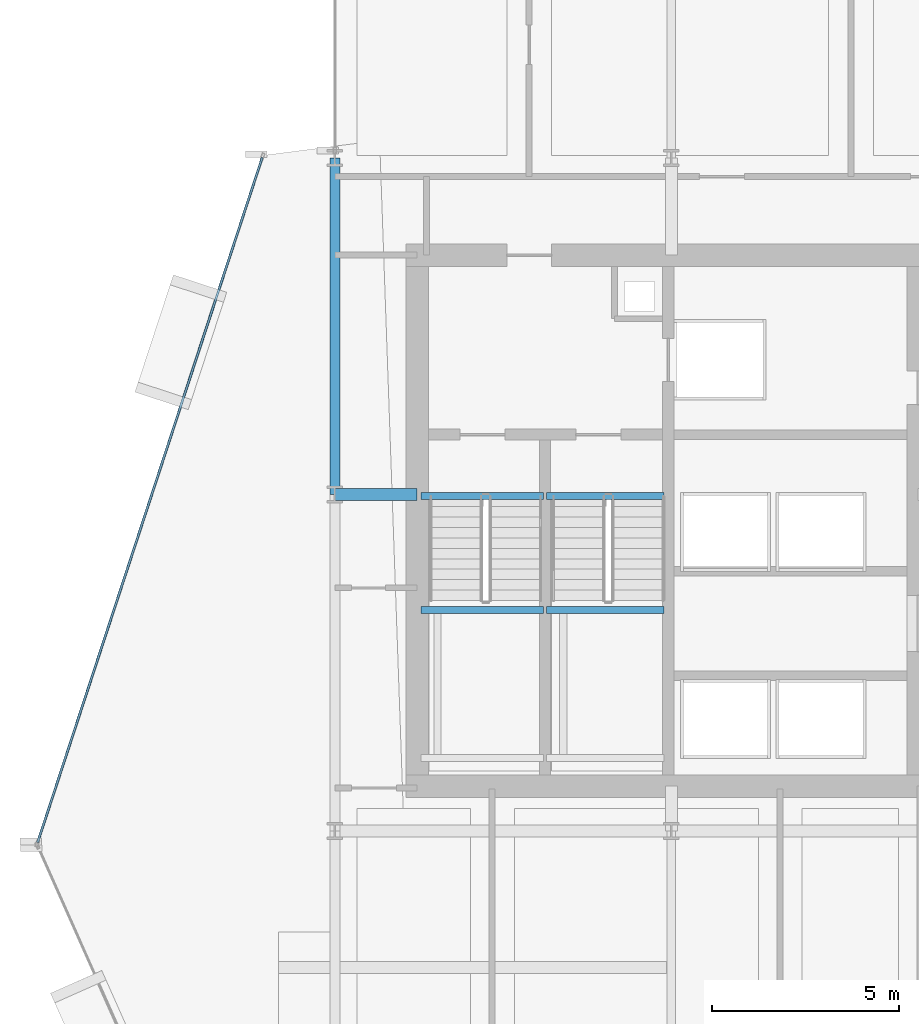
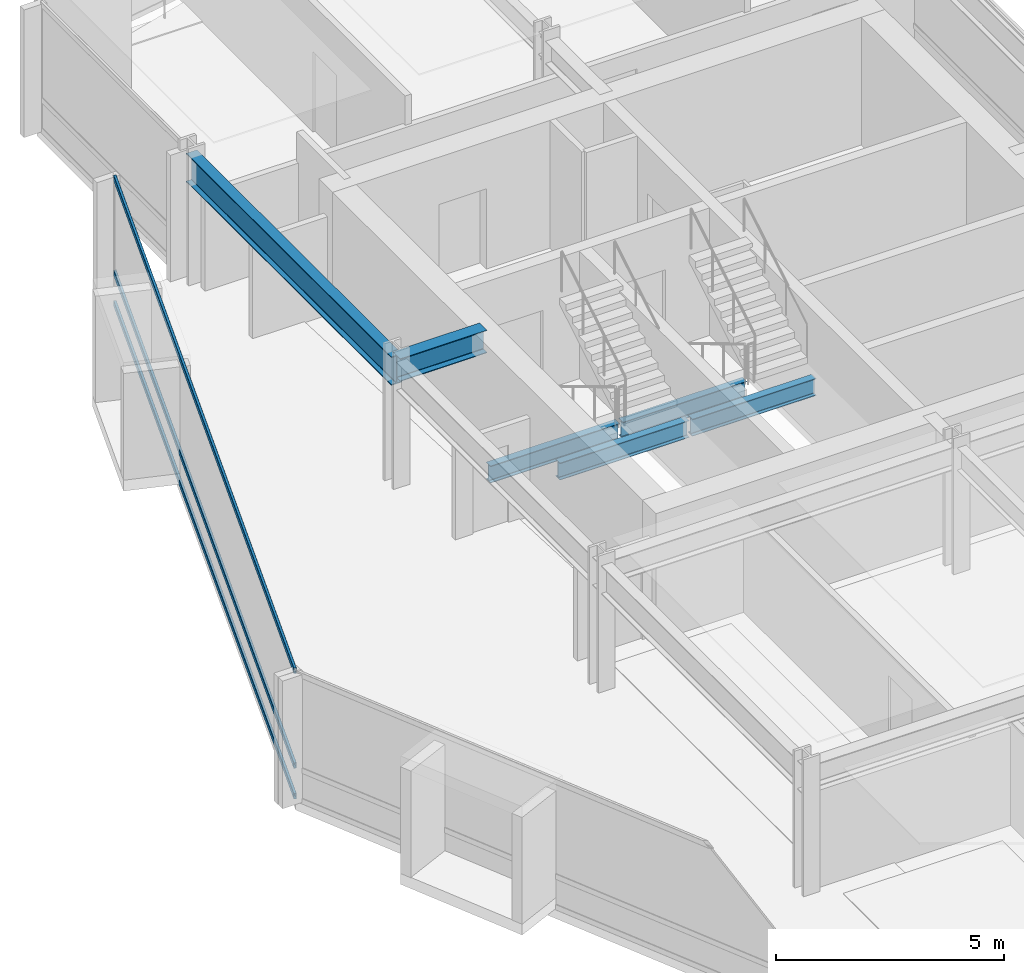
# One storey, part 15 of 29: 6 beams, 3 members, 1 element without a shape of its own.
"""IFC4 building model written with IfcOpenShell, lengths in metres."""

from ifc_helpers import new_model, si_unit, direction, frame, origin, origin_2d, place, context, subcontext, project, spatial, hollow_rectangle, i_section, extrude, material, layer, layer_set, material_profile, profile_set, type_object, element, aggregate, save


model = new_model("IFC4")

# Units and contexts
model_context = context("Model", 3, precision=1e-05, world=origin(), true_north=direction((0.0, 1.0)))
body_context = subcontext(model_context, "Body", "Model", "MODEL_VIEW")
ifc_project = project(units=[si_unit("LENGTHUNIT", "METRE"), si_unit("AREAUNIT", "SQUARE_METRE"), si_unit("VOLUMEUNIT", "CUBIC_METRE"), si_unit("PLANEANGLEUNIT", "RADIAN"), si_unit("MASSUNIT", "GRAM", prefix="KILO")], contexts=[model_context])

# Site, building, storey
site_placement = place(None, origin())
site = spatial("IfcSite", under=ifc_project, at=site_placement, CompositionType="ELEMENT")
building_placement = place(site_placement, origin())
building = spatial("IfcBuilding", under=site, at=building_placement, Name="Solvaryn Broadcast Tower", CompositionType="ELEMENT")
storey_placement = place(building_placement, frame((0.0, 0.0, 121.10009765625)))
storey = spatial("IfcBuildingStorey", under=building, at=storey_placement, Name="L29", CompositionType="ELEMENT", Elevation=121.10009765625)

# Beams
ifc_material_1 = material(Name="Steel ASTM A992 Grade 50", Category="steel")
ifc_material_profile_1 = material_profile(ifc_material_1, i_section(OverallWidth=0.323974609375, OverallDepth=0.611083984375, WebThickness=0.0126953125, FlangeThickness=0.01904296875, FilletRadius=0.014892578125, at=origin_2d()))
ifc_profile_set_1 = profile_set([ifc_material_profile_1], Name="Steel ASTM A992 Grade 50")
beam_type_1 = type_object("IfcBeamType", Name="BM-B1-W24X104", PredefinedType="BEAM", material=ifc_profile_set_1)
beam_1_placement = place(storey_placement, frame((9.0, 36.0, 3.114501953125), z_axis=(1.0, 0.0, 0.0), x_axis=(0.0, 1.0, 0.0)))
element("IfcBeam", 1, at=beam_1_placement, inside=storey, type_object=beam_type_1, Name="L29 Core Tie Beam CTW1", PredefinedType="BEAM", context=body_context, shape_type="SweptSolid", body=[
    extrude(i_section(OverallWidth=0.323974609375, OverallDepth=0.611083984375, WebThickness=0.0126953125, FlangeThickness=0.01904296875, FilletRadius=0.014892578125, at=origin_2d()), origin(), (0.0, 0.0, 1.0), 2.199951171875),
])
ifc_material_2 = material(Name="Steel ASTM A992 Grade 50", Category="steel")
ifc_material_profile_2 = material_profile(ifc_material_2, i_section(OverallWidth=0.18994140625, OverallDepth=0.45703125, WebThickness=0.009033203125, FlangeThickness=0.014404296875, FilletRadius=0.011962890625, at=origin_2d()))
ifc_profile_set_2 = profile_set([ifc_material_profile_2], Name="Steel ASTM A992 Grade 50")
beam_type_2 = type_object("IfcBeamType", Name="BM-B4-W18X50", PredefinedType="BEAM", material=ifc_profile_set_2)
for number, where, z_axis, x_axis, name in (
    (2, (11.300048828125, 35.9599609375, -0.508544921875), (1.0, 0.0, 0.0), (0.0, 1.0, 0.0), "L29 ST1 Stair Well Trimmer Beam"),
    (3, (11.300048828125, 32.909912109375, 1.42138671875), (1.0, 0.0, 0.0), (0.0, 1.0, 0.0), "L29 ST1 Landing Support Beam 1B"),
):
    element("IfcBeam", number, at=place(storey_placement, frame(where, z_axis=z_axis, x_axis=x_axis)), inside=storey, type_object=beam_type_2, Name=name, PredefinedType="BEAM", context=body_context, shape_type="SweptSolid", body=[
        extrude(i_section(OverallWidth=0.18994140625, OverallDepth=0.45703125, WebThickness=0.009033203125, FlangeThickness=0.014404296875, FilletRadius=0.011962890625, at=origin_2d()), origin(), (0.0, 0.0, 1.0), 3.280029296875),
    ])
for number, where, z_axis, x_axis, name in (
    (4, (14.659912109375, 35.9599609375, -0.508544921875), (1.0, 0.0, 0.0), (0.0, 1.0, 0.0), "L29 ST2 Stair Well Trimmer Beam"),
    (5, (14.659912109375, 32.909912109375, 1.42138671875), (1.0, 0.0, 0.0), (0.0, 1.0, 0.0), "L29 ST2 Landing Support Beam 1B"),
):
    element("IfcBeam", number, at=place(storey_placement, frame(where, z_axis=z_axis, x_axis=x_axis)), inside=storey, type_object=beam_type_2, Name=name, PredefinedType="BEAM", context=body_context, shape_type="SweptSolid", body=[
        extrude(i_section(OverallWidth=0.18994140625, OverallDepth=0.45703125, WebThickness=0.009033203125, FlangeThickness=0.014404296875, FilletRadius=0.011962890625, at=origin_2d()), origin(), (0.0, 0.0, 1.0), 3.14013671875),
    ])
ifc_material_3 = material(Name="Steel ASTM A992 Grade 50", Category="steel")
ifc_material_profile_3 = material_profile(ifc_material_3, i_section(OverallWidth=0.26708984375, OverallDepth=0.76611328125, WebThickness=0.014892578125, FlangeThickness=0.023681640625, FilletRadius=0.01806640625, at=origin_2d()))
ifc_profile_set_3 = profile_set([ifc_material_profile_3], Name="Steel ASTM A992 Grade 50")
beam_type_3 = type_object("IfcBeamType", Name="BM-SP2-W30X124", PredefinedType="USERDEFINED", material=ifc_profile_set_3)
beam_2_placement = place(storey_placement, frame((9.0, 36.0, 3.036865234375), z_axis=(0.0, 1.0, 0.0), x_axis=(-1.0, 0.0, 0.0)))
element("IfcBeam", 6, at=beam_2_placement, inside=storey, type_object=beam_type_3, Name="L29 Spandrel Beam Y (36-45 @ X=9)", ObjectType="SPANDREL", PredefinedType="USERDEFINED", context=body_context, shape_type="SweptSolid", body=[
    extrude(i_section(OverallWidth=0.26708984375, OverallDepth=0.76611328125, WebThickness=0.014892578125, FlangeThickness=0.023681640625, FilletRadius=0.01806640625, at=origin_2d()), origin(), (0.0, 0.0, 1.0), 9.0),
])

# Curtain wall, members
ifc_material_4 = material(Name="Aluminium and Terracotta Unitised Curtain Wall", Category="masonry")
ifc_layer = layer(ifc_material_4, 0.199951171875)
ifc_layer_set = layer_set([ifc_layer], Name="CW-SYS2-LOWMID")
curtain_wall_type = type_object("IfcCurtainWallType", Name="CW-SYS2-LOWMID", PredefinedType="NOTDEFINED", material=ifc_layer_set)
curtain_wall_placement = place(storey_placement, origin())
curtain_wall = element("IfcCurtainWall", 7, at=curtain_wall_placement, inside=storey, type_object=curtain_wall_type, Name="L29 Curtain Wall DR1", PredefinedType="NOTDEFINED")
ifc_material_5 = material(Name="Anodised Aluminium 6063-T6", Category="aluminium")
ifc_material_profile_4 = material_profile(ifc_material_5, hollow_rectangle(XDim=0.06494140625, YDim=0.14990234375, WallThickness=0.00390625, InnerFilletRadius=0.00390625, OuterFilletRadius=0.008056640625, at=origin_2d()))
ifc_profile_set_4 = profile_set([ifc_material_profile_4], Name="Anodised Aluminium 6063-T6")
member_type = type_object("IfcMemberType", Name="CW-TRN-150", PredefinedType="USERDEFINED", material=ifc_profile_set_4)
member_1_placement = place(storey_placement, frame((7.060302734375, 45.010009765625, 0.02978515625), z_axis=(-0.31164571445, -0.950198373323, 0.0), x_axis=(0.950198373323, -0.31164571445, 0.0)))
member_1 = element("IfcMember", 8, at=member_1_placement, type_object=member_type, Name="CWS2 transom 1.1", ObjectType="TRANSOM", PredefinedType="USERDEFINED", context=body_context, shape_type="SweptSolid", body=[
    extrude(hollow_rectangle(XDim=0.06494140625, YDim=0.14990234375, WallThickness=0.00390625, InnerFilletRadius=0.00390625, OuterFilletRadius=0.008056640625, at=origin_2d()), origin(), (0.0, 0.0, 1.0), 19.27685546875),
])
member_2_placement = place(storey_placement, frame((7.060302734375, 45.010009765625, 0.849853515625), z_axis=(-0.31164571445, -0.950198373323, 0.0), x_axis=(0.950198373323, -0.31164571445, 0.0)))
member_2 = element("IfcMember", 9, at=member_2_placement, type_object=member_type, Name="CWS2 transom 1.2", ObjectType="TRANSOM", PredefinedType="USERDEFINED", context=body_context, shape_type="SweptSolid", body=[
    extrude(hollow_rectangle(XDim=0.06494140625, YDim=0.14990234375, WallThickness=0.00390625, InnerFilletRadius=0.00390625, OuterFilletRadius=0.008056640625, at=origin_2d()), origin(), (0.0, 0.0, 1.0), 19.27685546875),
])
member_3_placement = place(storey_placement, frame((7.060302734375, 45.010009765625, 3.389892578125), z_axis=(-0.31164571445, -0.950198373323, 0.0), x_axis=(0.950198373323, -0.31164571445, 0.0)))
member_3 = element("IfcMember", 10, at=member_3_placement, type_object=member_type, Name="CWS2 transom 1.3", ObjectType="TRANSOM", PredefinedType="USERDEFINED", context=body_context, shape_type="SweptSolid", body=[
    extrude(hollow_rectangle(XDim=0.06494140625, YDim=0.14990234375, WallThickness=0.00390625, InnerFilletRadius=0.00390625, OuterFilletRadius=0.008056640625, at=origin_2d()), origin(), (0.0, 0.0, 1.0), 19.27685546875),
])
aggregate(curtain_wall, [member_1, member_2, member_3])

save(model, "model.ifc")
